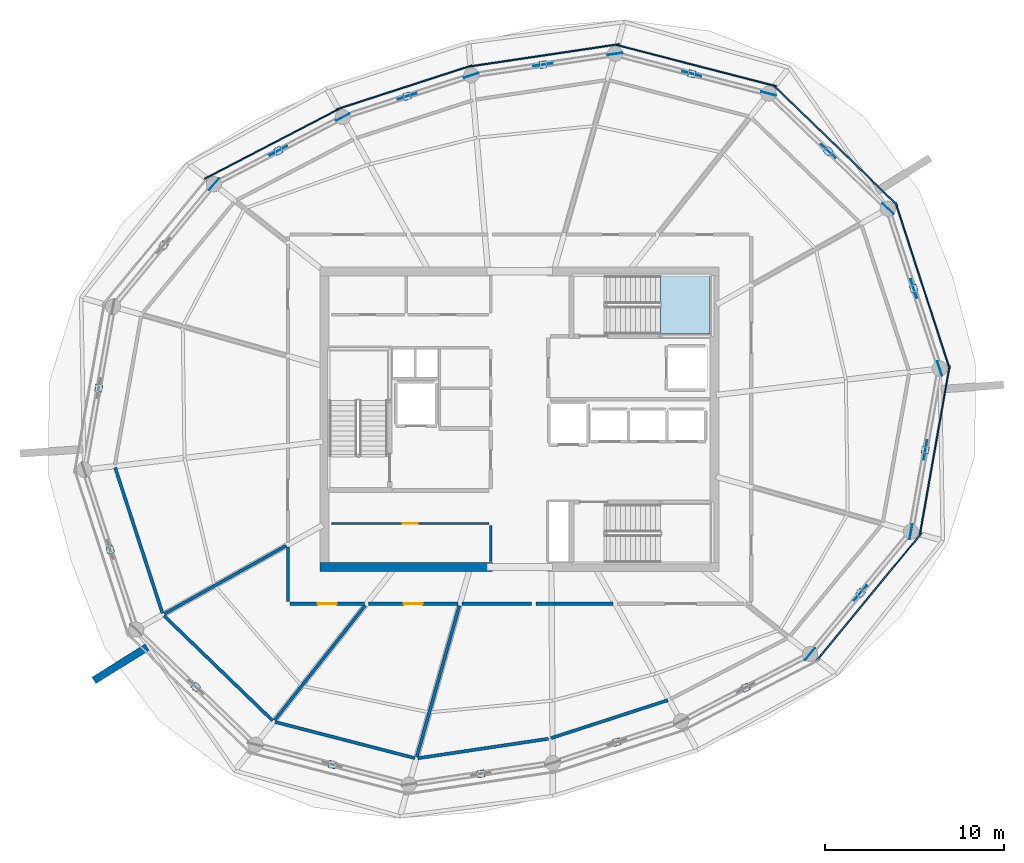
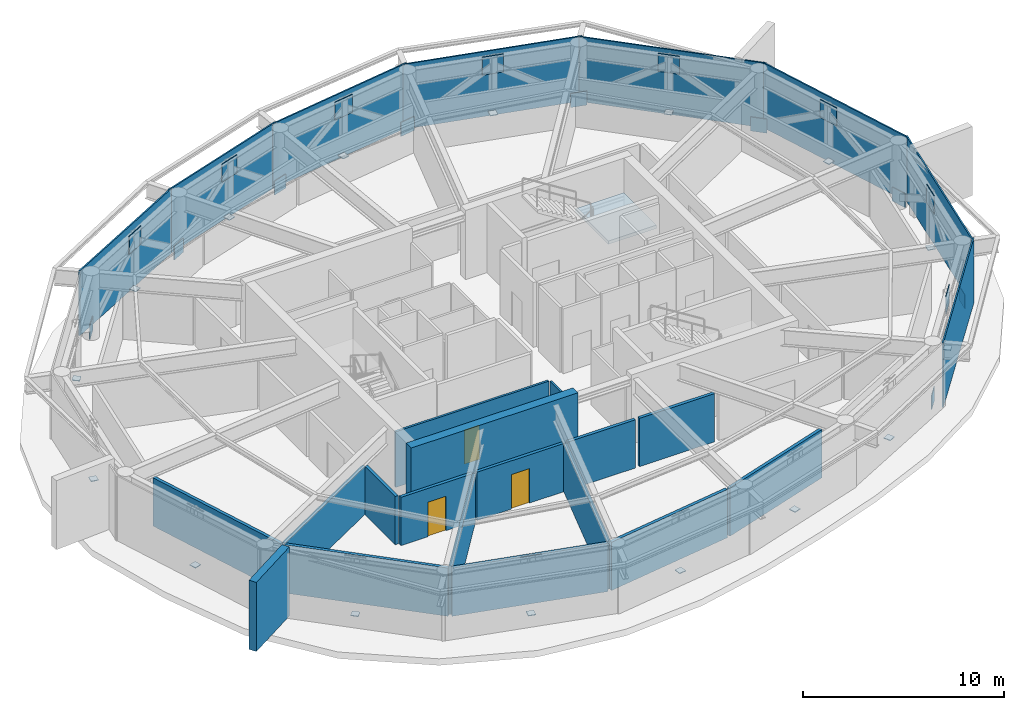
# One storey, part 10 of 14: 41 plates, 17 walls, 3 doors, 1 slab, 3 openings, 1 element without a shape of its own.
"""IFC4 building model written with IfcOpenShell, lengths in metres."""

from ifc_helpers import new_model, si_unit, direction, frame, frame_2d, origin, origin_2d, place, context, subcontext, project, spatial, polyline, rectangle, outline, extrude, material, layer, layer_set, type_object, element, fill, aggregate, save


model = new_model("IFC4")

# Units and contexts
model_context = context("Model", 3, precision=1e-05, world=origin(), true_north=direction((0.0, 1.0)))
body_context = subcontext(model_context, "Body", "Model", "MODEL_VIEW")
ifc_project = project(units=[si_unit("LENGTHUNIT", "METRE"), si_unit("AREAUNIT", "SQUARE_METRE"), si_unit("VOLUMEUNIT", "CUBIC_METRE"), si_unit("PLANEANGLEUNIT", "RADIAN"), si_unit("MASSUNIT", "GRAM", prefix="KILO")], contexts=[model_context])

# Site, building, storey
site_placement = place(None, origin())
site = spatial("IfcSite", under=ifc_project, at=site_placement, CompositionType="ELEMENT")
building_placement = place(site_placement, origin())
building = spatial("IfcBuilding", under=site, at=building_placement, Name="Kazma Halo Residences", CompositionType="ELEMENT")
storey_placement = place(building_placement, frame((0.0, 0.0, 343.10009765625)))
storey = spatial("IfcBuildingStorey", under=building, at=storey_placement, Name="L86", CompositionType="ELEMENT", Elevation=343.10009765625)

# Plates
ifc_material_1 = material(Name="Aluminium AW-6063 T6 Perforated Acoustic Louvre Screen", Category="aluminium")
ifc_layer_1 = layer(ifc_material_1, 0.080078125)
ifc_layer_set_1 = layer_set([ifc_layer_1], Name="Aluminium AW-6063 T6 Perforated Acoustic Louvre Screen")
plate_type_1 = type_object("IfcPlateType", Name="PLT-CROWN-LOUVRE", PredefinedType="SHEET", material=ifc_layer_set_1)
plate_1_placement = place(storey_placement, frame((66.0361328125, 57.285888671875, 0.0), z_axis=(0.0, 0.0, 1.0), x_axis=(-0.719335265276, 0.694663066623, 0.0)))
element("IfcPlate", 1, at=plate_1_placement, inside=storey, type_object=plate_type_1, Name="L86 pale-metal acoustic louvre screen 01", PredefinedType="SHEET", context=body_context, shape_type="SweptSolid", body=[
    extrude(rectangle(XDim=9.64111328125, YDim=0.080078125, at=origin_2d()), origin(), (0.0, 0.0, 1.0), 3.93994140625),
])
plate_2_placement = place(storey_placement, frame((58.271484375, 61.729248046875, 0.0), z_axis=(0.0, 0.0, 1.0), x_axis=(-0.968126273724, 0.250462608239, 0.0)))
element("IfcPlate", 2, at=plate_2_placement, inside=storey, type_object=plate_type_1, Name="L86 pale-metal acoustic louvre screen 02", PredefinedType="SHEET", context=body_context, shape_type="SweptSolid", body=[
    extrude(rectangle(XDim=9.251220703125, YDim=0.080078125, at=origin_2d()), origin(), (0.0, 0.0, 1.0), 3.93994140625),
])
plate_3_placement = place(storey_placement, frame((49.783935546875, 62.2958984375, 0.0), z_axis=(0.0, 0.0, 1.0), x_axis=(-0.989033960442, -0.147688269991, 0.0)))
element("IfcPlate", 3, at=plate_3_placement, inside=storey, type_object=plate_type_1, Name="L86 pale-metal acoustic louvre screen 03", PredefinedType="SHEET", context=body_context, shape_type="SweptSolid", body=[
    extrude(rectangle(XDim=8.505615234375, YDim=0.080078125, at=origin_2d()), origin(), (0.0, 0.0, 1.0), 3.93994140625),
])
plate_4_placement = place(storey_placement, frame((41.98583984375, 60.509521484375, 0.0), z_axis=(0.0, 0.0, 1.0), x_axis=(-0.951057860981, -0.309012855826, 0.0)))
element("IfcPlate", 4, at=plate_4_placement, inside=storey, type_object=plate_type_1, Name="L86 pale-metal acoustic louvre screen 04", PredefinedType="SHEET", context=body_context, shape_type="SweptSolid", body=[
    extrude(rectangle(XDim=7.935546875, YDim=0.080078125, at=origin_2d()), origin(), (0.0, 0.0, 1.0), 3.93994140625),
])
plate_5_placement = place(storey_placement, frame((34.627197265625, 57.37109375, 0.0), z_axis=(0.0, 0.0, 1.0), x_axis=(-0.886953463188, -0.461858803249, 0.0)))
element("IfcPlate", 5, at=plate_5_placement, inside=storey, type_object=plate_type_1, Name="L86 pale-metal acoustic louvre screen 05", PredefinedType="SHEET", context=body_context, shape_type="SweptSolid", body=[
    extrude(rectangle(XDim=8.505615234375, YDim=0.080078125, at=origin_2d()), origin(), (0.0, 0.0, 1.0), 3.93994140625),
])
plate_6_placement = place(storey_placement, frame((67.90625, 32.076171875, 0.0), z_axis=(0.0, 0.0, 1.0), x_axis=(0.636006588977, 0.771683626092, 0.0)))
element("IfcPlate", 6, at=plate_6_placement, inside=storey, type_object=plate_type_1, Name="L86 pale-metal acoustic louvre screen 14", PredefinedType="SHEET", context=body_context, shape_type="SweptSolid", body=[
    extrude(rectangle(XDim=9.251220703125, YDim=0.080078125, at=origin_2d()), origin(), (0.0, 0.0, 1.0), 3.93994140625),
])
plate_7_placement = place(storey_placement, frame((71.576416015625, 40.23486328125, 0.0), z_axis=(0.0, 0.0, 1.0), x_axis=(0.17364643699, 0.984808059939, 0.0)))
element("IfcPlate", 7, at=plate_7_placement, inside=storey, type_object=plate_type_1, Name="L86 pale-metal acoustic louvre screen 15", PredefinedType="SHEET", context=body_context, shape_type="SweptSolid", body=[
    extrude(rectangle(XDim=9.64111328125, YDim=0.080078125, at=origin_2d()), origin(), (0.0, 0.0, 1.0), 3.93994140625),
])
plate_8_placement = place(storey_placement, frame((70.90625, 49.442626953125, 0.0), z_axis=(0.0, 0.0, 1.0), x_axis=(-0.309021671922, 0.951054996455, 0.0)))
element("IfcPlate", 8, at=plate_8_placement, inside=storey, type_object=plate_type_1, Name="L86 pale-metal acoustic louvre screen 16", PredefinedType="SHEET", context=body_context, shape_type="SweptSolid", body=[
    extrude(rectangle(XDim=9.774658203125, YDim=0.080078125, at=origin_2d()), origin(), (0.0, 0.0, 1.0), 3.93994140625),
])
ifc_material_2 = material(Name="Steel S355", Category="steel")
ifc_layer_2 = layer(ifc_material_2, 0.0400390625)
ifc_layer_set_2 = layer_set([ifc_layer_2], Name="Steel S355")
plate_type_2 = type_object("IfcPlateType", Name="PLT-GUSSET-40", PredefinedType="SHEET", material=ifc_layer_set_2)
plate_9_placement = place(storey_placement, frame((65.639404296875, 56.94970703125, 0.43994140625), z_axis=(0.0, 0.0, 1.0), x_axis=(-0.719335265276, 0.694663066623, 0.0)))
element("IfcPlate", 9, at=plate_9_placement, inside=storey, type_object=plate_type_2, Name="L86 belt-truss post welded cap plate 01", PredefinedType="SHEET", context=body_context, shape_type="SweptSolid", body=[
    extrude(rectangle(XDim=0.39990234375, YDim=0.39990234375, at=origin_2d()), origin(), (0.0, 0.0, 1.0), 0.0400390625),
])
plate_10_placement = place(storey_placement, frame((65.639404296875, 56.94970703125, 2.869873046875), z_axis=(0.0, 0.0, 1.0), x_axis=(-0.719335265276, 0.694663066623, 0.0)))
element("IfcPlate", 10, at=plate_10_placement, inside=storey, type_object=plate_type_2, Name="L86 belt-truss apex gusset plate 01", PredefinedType="SHEET", context=body_context, shape_type="SweptSolid", body=[
    extrude(rectangle(XDim=1.10009765625, YDim=0.0400390625, at=origin_2d()), origin(), (0.0, 0.0, 1.0), 1.10009765625),
])
plate_11_placement = place(storey_placement, frame((68.96337890625, 53.739990234375, 0.054931640625), z_axis=(0.0, 0.0, 1.0), x_axis=(-0.719335265276, 0.694663066623, 0.0)))
element("IfcPlate", 11, at=plate_11_placement, inside=storey, type_object=plate_type_2, Name="L86 belt-truss column gusset plate 01", PredefinedType="SHEET", context=body_context, shape_type="SweptSolid", body=[
    extrude(rectangle(XDim=0.85009765625, YDim=0.0400390625, at=origin_2d()), origin(), (0.0, 0.0, 1.0), 0.85009765625),
])
plate_12_placement = place(storey_placement, frame((58.03125, 61.267822265625, 0.43994140625), z_axis=(0.0, 0.0, 1.0), x_axis=(-0.968126273724, 0.250462608239, 0.0)))
element("IfcPlate", 12, at=plate_12_placement, inside=storey, type_object=plate_type_2, Name="L86 belt-truss post welded cap plate 02", PredefinedType="SHEET", context=body_context, shape_type="SweptSolid", body=[
    extrude(rectangle(XDim=0.39990234375, YDim=0.39990234375, at=origin_2d()), origin(), (0.0, 0.0, 1.0), 0.0400390625),
])
plate_13_placement = place(storey_placement, frame((58.03125, 61.267822265625, 2.869873046875), z_axis=(0.0, 0.0, 1.0), x_axis=(-0.968126273724, 0.250462608239, 0.0)))
element("IfcPlate", 13, at=plate_13_placement, inside=storey, type_object=plate_type_2, Name="L86 belt-truss apex gusset plate 02", PredefinedType="SHEET", context=body_context, shape_type="SweptSolid", body=[
    extrude(rectangle(XDim=1.10009765625, YDim=0.0400390625, at=origin_2d()), origin(), (0.0, 0.0, 1.0), 1.10009765625),
])
plate_14_placement = place(storey_placement, frame((62.31591796875, 60.159423828125, 0.054931640625), z_axis=(0.0, 0.0, 1.0), x_axis=(-0.968126273724, 0.250462608239, 0.0)))
element("IfcPlate", 14, at=plate_14_placement, inside=storey, type_object=plate_type_2, Name="L86 belt-truss column gusset plate 02", PredefinedType="SHEET", context=body_context, shape_type="SweptSolid", body=[
    extrude(rectangle(XDim=0.85009765625, YDim=0.0400390625, at=origin_2d()), origin(), (0.0, 0.0, 1.0), 0.85009765625),
])
plate_15_placement = place(storey_placement, frame((49.73828125, 61.77783203125, 0.43994140625), z_axis=(0.0, 0.0, 1.0), x_axis=(-0.989033960442, -0.147688269991, 0.0)))
element("IfcPlate", 15, at=plate_15_placement, inside=storey, type_object=plate_type_2, Name="L86 belt-truss post welded cap plate 03", PredefinedType="SHEET", context=body_context, shape_type="SweptSolid", body=[
    extrude(rectangle(XDim=0.39990234375, YDim=0.39990234375, at=origin_2d()), origin(), (0.0, 0.0, 1.0), 0.0400390625),
])
plate_16_placement = place(storey_placement, frame((49.73828125, 61.77783203125, 2.869873046875), z_axis=(0.0, 0.0, 1.0), x_axis=(-0.989033960442, -0.147688269991, 0.0)))
element("IfcPlate", 16, at=plate_16_placement, inside=storey, type_object=plate_type_2, Name="L86 belt-truss apex gusset plate 03", PredefinedType="SHEET", context=body_context, shape_type="SweptSolid", body=[
    extrude(rectangle(XDim=1.10009765625, YDim=0.0400390625, at=origin_2d()), origin(), (0.0, 0.0, 1.0), 1.10009765625),
])
plate_17_placement = place(storey_placement, frame((53.74658203125, 62.37646484375, 0.054931640625), z_axis=(0.0, 0.0, 1.0), x_axis=(-0.989033960442, -0.147688269991, 0.0)))
element("IfcPlate", 17, at=plate_17_placement, inside=storey, type_object=plate_type_2, Name="L86 belt-truss column gusset plate 03", PredefinedType="SHEET", context=body_context, shape_type="SweptSolid", body=[
    extrude(rectangle(XDim=0.85009765625, YDim=0.0400390625, at=origin_2d()), origin(), (0.0, 0.0, 1.0), 0.85009765625),
])
plate_18_placement = place(storey_placement, frame((42.146484375, 60.014892578125, 0.43994140625), z_axis=(0.0, 0.0, 1.0), x_axis=(-0.951057860981, -0.309012855826, 0.0)))
element("IfcPlate", 18, at=plate_18_placement, inside=storey, type_object=plate_type_2, Name="L86 belt-truss post welded cap plate 04", PredefinedType="SHEET", context=body_context, shape_type="SweptSolid", body=[
    extrude(rectangle(XDim=0.39990234375, YDim=0.39990234375, at=origin_2d()), origin(), (0.0, 0.0, 1.0), 0.0400390625),
])
plate_19_placement = place(storey_placement, frame((42.146484375, 60.014892578125, 2.869873046875), z_axis=(0.0, 0.0, 1.0), x_axis=(-0.951057860981, -0.309012855826, 0.0)))
element("IfcPlate", 19, at=plate_19_placement, inside=storey, type_object=plate_type_2, Name="L86 belt-truss apex gusset plate 04", PredefinedType="SHEET", context=body_context, shape_type="SweptSolid", body=[
    extrude(rectangle(XDim=1.10009765625, YDim=0.0400390625, at=origin_2d()), origin(), (0.0, 0.0, 1.0), 1.10009765625),
])
plate_20_placement = place(storey_placement, frame((45.72998046875, 61.17919921875, 0.054931640625), z_axis=(0.0, 0.0, 1.0), x_axis=(-0.951057860981, -0.309012855826, 0.0)))
element("IfcPlate", 20, at=plate_20_placement, inside=storey, type_object=plate_type_2, Name="L86 belt-truss column gusset plate 04", PredefinedType="SHEET", context=body_context, shape_type="SweptSolid", body=[
    extrude(rectangle(XDim=0.85009765625, YDim=0.0400390625, at=origin_2d()), origin(), (0.0, 0.0, 1.0), 0.85009765625),
])
plate_21_placement = place(storey_placement, frame((34.968505859375, 56.97900390625, 0.43994140625), z_axis=(0.0, 0.0, 1.0), x_axis=(-0.886953463188, -0.461858803249, 0.0)))
element("IfcPlate", 21, at=plate_21_placement, inside=storey, type_object=plate_type_2, Name="L86 belt-truss post welded cap plate 05", PredefinedType="SHEET", context=body_context, shape_type="SweptSolid", body=[
    extrude(rectangle(XDim=0.39990234375, YDim=0.39990234375, at=origin_2d()), origin(), (0.0, 0.0, 1.0), 0.0400390625),
])
plate_22_placement = place(storey_placement, frame((34.968505859375, 56.97900390625, 2.869873046875), z_axis=(0.0, 0.0, 1.0), x_axis=(-0.886953463188, -0.461858803249, 0.0)))
element("IfcPlate", 22, at=plate_22_placement, inside=storey, type_object=plate_type_2, Name="L86 belt-truss apex gusset plate 05", PredefinedType="SHEET", context=body_context, shape_type="SweptSolid", body=[
    extrude(rectangle(XDim=1.10009765625, YDim=0.0400390625, at=origin_2d()), origin(), (0.0, 0.0, 1.0), 1.10009765625),
])
plate_23_placement = place(storey_placement, frame((38.563232421875, 58.8505859375, 0.054931640625), z_axis=(0.0, 0.0, 1.0), x_axis=(-0.886953463188, -0.461858803249, 0.0)))
element("IfcPlate", 23, at=plate_23_placement, inside=storey, type_object=plate_type_2, Name="L86 belt-truss column gusset plate 05", PredefinedType="SHEET", context=body_context, shape_type="SweptSolid", body=[
    extrude(rectangle(XDim=0.85009765625, YDim=0.0400390625, at=origin_2d()), origin(), (0.0, 0.0, 1.0), 0.85009765625),
])
plate_24_placement = place(storey_placement, frame((28.55908203125, 51.69189453125, 0.43994140625), z_axis=(0.0, 0.0, 1.0), x_axis=(-0.636006588977, -0.771683626092, 0.0)))
element("IfcPlate", 24, at=plate_24_placement, inside=storey, type_object=plate_type_2, Name="L86 belt-truss post welded cap plate 06", PredefinedType="SHEET", context=body_context, shape_type="SweptSolid", body=[
    extrude(rectangle(XDim=0.39990234375, YDim=0.39990234375, at=origin_2d()), origin(), (0.0, 0.0, 1.0), 0.0400390625),
])
plate_25_placement = place(storey_placement, frame((31.373779296875, 55.10693359375, 0.054931640625), z_axis=(0.0, 0.0, 1.0), x_axis=(-0.636006588977, -0.771683626092, 0.0)))
element("IfcPlate", 25, at=plate_25_placement, inside=storey, type_object=plate_type_2, Name="L86 belt-truss column gusset plate 06", PredefinedType="SHEET", context=body_context, shape_type="SweptSolid", body=[
    extrude(rectangle(XDim=0.85009765625, YDim=0.0400390625, at=origin_2d()), origin(), (0.0, 0.0, 1.0), 0.85009765625),
])
for number, where, z_axis, x_axis, name in (
    (26, (24.942138671875, 43.726318359375, 0.43994140625), (0.0, 0.0, 1.0), (-0.17364643699, -0.984808059939, 0.0), "L86 belt-truss post welded cap plate 07"),
    (27, (25.588134765625, 34.718017578125, 0.43994140625), (0.0, 0.0, 1.0), (0.309021671922, -0.951054996455, 0.0), "L86 belt-truss post welded cap plate 08"),
    (28, (30.360595703125, 27.05029296875, 0.43994140625), (0.0, 0.0, 1.0), (0.719335265276, -0.694663066623, 0.0), "L86 belt-truss post welded cap plate 09"),
    (29, (37.96875, 22.732177734375, 0.43994140625), (0.0, 0.0, 1.0), (0.968126273724, -0.250462608239, 0.0), "L86 belt-truss post welded cap plate 10"),
    (30, (46.26171875, 22.22216796875, 0.43994140625), (0.0, 0.0, 1.0), (0.989033960442, 0.147688269991, 0.0), "L86 belt-truss post welded cap plate 11"),
    (31, (53.853515625, 23.985107421875, 0.43994140625), (0.0, 0.0, 1.0), (0.951057860981, 0.309012855826, 0.0), "L86 belt-truss post welded cap plate 12"),
    (32, (61.031494140625, 27.02099609375, 0.43994140625), (0.0, 0.0, 1.0), (0.886953463188, 0.461858803249, 0.0), "L86 belt-truss post welded cap plate 13"),
    (33, (67.44091796875, 32.30810546875, 0.43994140625), (0.0, 0.0, 1.0), (0.636006588977, 0.771683626092, 0.0), "L86 belt-truss post welded cap plate 14"),
):
    element("IfcPlate", number, at=place(storey_placement, frame(where, z_axis=z_axis, x_axis=x_axis)), inside=storey, type_object=plate_type_2, Name=name, PredefinedType="SHEET", context=body_context, shape_type="SweptSolid", body=[
        extrude(rectangle(XDim=0.39990234375, YDim=0.39990234375, at=origin_2d()), origin(), (0.0, 0.0, 1.0), 0.0400390625),
    ])
plate_26_placement = place(storey_placement, frame((67.44091796875, 32.30810546875, 2.869873046875), z_axis=(0.0, 0.0, 1.0), x_axis=(0.636006588977, 0.771683626092, 0.0)))
element("IfcPlate", 34, at=plate_26_placement, inside=storey, type_object=plate_type_2, Name="L86 belt-truss apex gusset plate 14", PredefinedType="SHEET", context=body_context, shape_type="SweptSolid", body=[
    extrude(rectangle(XDim=1.10009765625, YDim=0.0400390625, at=origin_2d()), origin(), (0.0, 0.0, 1.0), 1.10009765625),
])
plate_27_placement = place(storey_placement, frame((64.626220703125, 28.89306640625, 0.054931640625), z_axis=(0.0, 0.0, 1.0), x_axis=(0.636006588977, 0.771683626092, 0.0)))
element("IfcPlate", 35, at=plate_27_placement, inside=storey, type_object=plate_type_2, Name="L86 belt-truss column gusset plate 14", PredefinedType="SHEET", context=body_context, shape_type="SweptSolid", body=[
    extrude(rectangle(XDim=0.85009765625, YDim=0.0400390625, at=origin_2d()), origin(), (0.0, 0.0, 1.0), 0.85009765625),
])
plate_28_placement = place(storey_placement, frame((71.05810546875, 40.273681640625, 0.43994140625), z_axis=(0.0, 0.0, 1.0), x_axis=(0.17364643699, 0.984808059939, 0.0)))
element("IfcPlate", 36, at=plate_28_placement, inside=storey, type_object=plate_type_2, Name="L86 belt-truss post welded cap plate 15", PredefinedType="SHEET", context=body_context, shape_type="SweptSolid", body=[
    extrude(rectangle(XDim=0.39990234375, YDim=0.39990234375, at=origin_2d()), origin(), (0.0, 0.0, 1.0), 0.0400390625),
])
plate_29_placement = place(storey_placement, frame((71.05810546875, 40.273681640625, 2.869873046875), z_axis=(0.0, 0.0, 1.0), x_axis=(0.17364643699, 0.984808059939, 0.0)))
element("IfcPlate", 37, at=plate_29_placement, inside=storey, type_object=plate_type_2, Name="L86 belt-truss apex gusset plate 15", PredefinedType="SHEET", context=body_context, shape_type="SweptSolid", body=[
    extrude(rectangle(XDim=1.10009765625, YDim=0.0400390625, at=origin_2d()), origin(), (0.0, 0.0, 1.0), 1.10009765625),
])
plate_30_placement = place(storey_placement, frame((70.255615234375, 35.723388671875, 0.054931640625), z_axis=(0.0, 0.0, 1.0), x_axis=(0.17364643699, 0.984808059939, 0.0)))
element("IfcPlate", 38, at=plate_30_placement, inside=storey, type_object=plate_type_2, Name="L86 belt-truss column gusset plate 15", PredefinedType="SHEET", context=body_context, shape_type="SweptSolid", body=[
    extrude(rectangle(XDim=0.85009765625, YDim=0.0400390625, at=origin_2d()), origin(), (0.0, 0.0, 1.0), 0.85009765625),
])
plate_31_placement = place(storey_placement, frame((70.411865234375, 49.281982421875, 0.43994140625), z_axis=(0.0, 0.0, 1.0), x_axis=(-0.309021671922, 0.951054996455, 0.0)))
element("IfcPlate", 39, at=plate_31_placement, inside=storey, type_object=plate_type_2, Name="L86 belt-truss post welded cap plate 16", PredefinedType="SHEET", context=body_context, shape_type="SweptSolid", body=[
    extrude(rectangle(XDim=0.39990234375, YDim=0.39990234375, at=origin_2d()), origin(), (0.0, 0.0, 1.0), 0.0400390625),
])
plate_32_placement = place(storey_placement, frame((70.411865234375, 49.281982421875, 2.869873046875), z_axis=(0.0, 0.0, 1.0), x_axis=(-0.309021671922, 0.951054996455, 0.0)))
element("IfcPlate", 40, at=plate_32_placement, inside=storey, type_object=plate_type_2, Name="L86 belt-truss apex gusset plate 16", PredefinedType="SHEET", context=body_context, shape_type="SweptSolid", body=[
    extrude(rectangle(XDim=1.10009765625, YDim=0.0400390625, at=origin_2d()), origin(), (0.0, 0.0, 1.0), 1.10009765625),
])
plate_33_placement = place(storey_placement, frame((71.8603515625, 44.82421875, 0.054931640625), z_axis=(0.0, 0.0, 1.0), x_axis=(-0.309021671922, 0.951054996455, 0.0)))
element("IfcPlate", 41, at=plate_33_placement, inside=storey, type_object=plate_type_2, Name="L86 belt-truss column gusset plate 16", PredefinedType="SHEET", context=body_context, shape_type="SweptSolid", body=[
    extrude(rectangle(XDim=0.85009765625, YDim=0.0400390625, at=origin_2d()), origin(), (0.0, 0.0, 1.0), 0.85009765625),
])

# Stair, slab
ifc_material_3 = material(Name="Concrete C50/60", Category="concrete")
stair_type = type_object("IfcStairType", Name="STR-CRWN", PredefinedType="HALF_TURN_STAIR", material=ifc_material_3)
stair_placement = place(storey_placement, origin())
stair = element("IfcStair", 42, at=stair_placement, inside=storey, type_object=stair_type, Name="L86 Core exit stair ST-02", PredefinedType="HALF_TURN_STAIR")
ifc_layer_3 = layer(ifc_material_3, 0.199951171875)
ifc_layer_set_3 = layer_set([ifc_layer_3], Name="Concrete C50/60")
slab_type = type_object("IfcSlabType", Name="SLB-STAIR-LND-200", PredefinedType="LANDING", material=ifc_layer_set_3)
slab_placement = place(storey_placement, frame((0.0, 0.0, 1.89990234375)))
slab = element("IfcSlab", 43, at=slab_placement, type_object=slab_type, Name="ST-02 landing 1", PredefinedType="LANDING", context=body_context, shape_type="SweptSolid", body=[
    extrude(outline(polyline([(56.280029296875, 46.75), (59.050048828125, 46.75), (59.050048828125, 50.0), (56.280029296875, 50.0), (56.280029296875, 46.75)])), origin(), (0.0, 0.0, 1.0), 0.199951171875),
])
aggregate(stair, [slab])

# Walls
ifc_material_4 = material(Name="Pale Concrete C60/75", Category="concrete")
ifc_layer_4 = layer(ifc_material_4, 0.419921875)
ifc_layer_set_4 = layer_set([ifc_layer_4], Name="Pale Concrete C60/75")
wall_type_1 = type_object("IfcWallType", Name="WL-BLADE-420", PredefinedType="SOLIDWALL", material=ifc_layer_set_4)
wall_1_placement = place(storey_placement, frame((27.6474609375, 29.2822265625, 0.0), z_axis=(0.0, 0.0, 1.0), x_axis=(-0.848053161125, -0.529911158502, 0.0)))
element("IfcWall", 44, at=wall_1_placement, inside=storey, type_object=wall_type_1, Name="L86 pale concrete structural blade fin wall BW-03", PredefinedType="SOLIDWALL", context=body_context, shape_type="SweptSolid", body=[
    extrude(rectangle(XDim=3.5, YDim=0.419921875, at=frame_2d((1.75, 0.0))), origin(), (0.0, 0.0, 1.0), 4.199951171875),
])
ifc_material_5 = material(Name="Concrete C60/75", Category="concrete")
ifc_layer_5 = layer(ifc_material_5, 0.5)
ifc_layer_set_5 = layer_set([ifc_layer_5], Name="Concrete C60/75")
wall_type_2 = type_object("IfcWallType", Name="WL-CORE-500", PredefinedType="SHEAR", material=ifc_layer_set_5)
wall_2_placement = place(storey_placement, frame((37.300048828125, 33.75, 0.0), z_axis=(0.0, 0.0, 1.0), x_axis=(1.0, 0.0, 0.0)))
element("IfcWall", 45, at=wall_2_placement, inside=storey, type_object=wall_type_2, Name="L86 central core shear wall SW", PredefinedType="SHEAR", context=body_context, shape_type="SweptSolid", body=[
    extrude(rectangle(XDim=9.599853515625, YDim=0.5, at=frame_2d((4.7998046875, 0.0))), origin(), (0.0, 0.0, 1.0), 4.199951171875),
])
ifc_material_6 = material(Name="Acoustic Twin-Stud Gypsum")
ifc_layer_6 = layer(ifc_material_6, 0.179931640625)
ifc_layer_set_6 = layer_set([ifc_layer_6], Name="Acoustic Twin-Stud Gypsum")
wall_type_3 = type_object("IfcWallType", Name="WL-DEM-180", PredefinedType="PARTITIONING", material=ifc_layer_set_6)
wall_3_placement = place(storey_placement, frame((25.859375, 39.300537109375, 0.0), z_axis=(0.0, 0.0, 1.0), x_axis=(0.309030537088, -0.951052115894, 0.0)))
element("IfcWall", 46, at=wall_3_placement, inside=storey, type_object=wall_type_3, Name="L86 refuge acoustic perimeter wall 07", PredefinedType="PARTITIONING", context=body_context, shape_type="SweptSolid", body=[
    extrude(rectangle(XDim=8.548828125, YDim=0.179931640625, at=frame_2d((4.2744140625, 0.0))), origin(), (0.0, 0.0, 1.0), 2.932861328125),
])
wall_4_placement = place(storey_placement, frame((28.58349609375, 31.038330078125, 0.0), z_axis=(0.0, 0.0, 1.0), x_axis=(0.719358516059, -0.694638989241, 0.0)))
element("IfcWall", 47, at=wall_4_placement, inside=storey, type_object=wall_type_3, Name="L86 refuge acoustic perimeter wall 08", PredefinedType="PARTITIONING", context=body_context, shape_type="SweptSolid", body=[
    extrude(rectangle(XDim=8.424560546875, YDim=0.179931640625, at=frame_2d((4.21240234375, 0.0))), origin(), (0.0, 0.0, 1.0), 2.932861328125),
])
wall_5_placement = place(storey_placement, frame((34.778564453125, 25.110595703125, 0.0), z_axis=(0.0, 0.0, 1.0), x_axis=(0.96812020229, -0.250486075298, 0.0)))
element("IfcWall", 48, at=wall_5_placement, inside=storey, type_object=wall_type_3, Name="L86 refuge acoustic perimeter wall 09", PredefinedType="PARTITIONING", context=body_context, shape_type="SweptSolid", body=[
    extrude(rectangle(XDim=8.0625, YDim=0.179931640625, at=frame_2d((4.03125, 0.0))), origin(), (0.0, 0.0, 1.0), 2.932861328125),
])
wall_6_placement = place(storey_placement, frame((42.740478515625, 23.0830078125, 0.0), z_axis=(0.0, 0.0, 1.0), x_axis=(0.989035992024, 0.147674664315, 0.0)))
element("IfcWall", 49, at=wall_6_placement, inside=storey, type_object=wall_type_3, Name="L86 refuge acoustic perimeter wall 10", PredefinedType="PARTITIONING", context=body_context, shape_type="SweptSolid", body=[
    extrude(rectangle(XDim=7.3701171875, YDim=0.179931640625, at=frame_2d((3.68505859375, 0.0))), origin(), (0.0, 0.0, 1.0), 2.932861328125),
])
wall_7_placement = place(storey_placement, frame((50.184814453125, 24.2080078125, 0.0), z_axis=(0.0, 0.0, 1.0), x_axis=(0.95105793387, 0.309012631495, 0.0)))
element("IfcWall", 50, at=wall_7_placement, inside=storey, type_object=wall_type_3, Name="L86 refuge acoustic perimeter wall 11", PredefinedType="PARTITIONING", context=body_context, shape_type="SweptSolid", body=[
    extrude(rectangle(XDim=6.84033203125, YDim=0.179931640625, at=frame_2d((3.420166015625, 0.0))), origin(), (0.0, 0.0, 1.0), 2.932861328125),
])
wall_8_placement = place(storey_placement, frame((35.404052734375, 34.946044921875, 0.0), z_axis=(0.0, 0.0, 1.0), x_axis=(-0.872492108865, -0.488628202182, 0.0)))
element("IfcWall", 51, at=wall_8_placement, inside=storey, type_object=wall_type_3, Name="L86 radial partition wall 08", PredefinedType="PARTITIONING", context=body_context, shape_type="SweptSolid", body=[
    extrude(rectangle(XDim=7.783447265625, YDim=0.179931640625, at=frame_2d((3.8916015625, 0.0))), origin(), (0.0, 0.0, 1.0), 2.932861328125),
])
wall_9_placement = place(storey_placement, frame((35.5, 34.879638671875, 0.0), z_axis=(0.0, 0.0, 1.0), x_axis=(0.0, -1.0, 0.0)))
element("IfcWall", 52, at=wall_9_placement, inside=storey, type_object=wall_type_3, Name="L86 L86 Primary AHU Mechanical Plant Room corridor wall", PredefinedType="PARTITIONING", context=body_context, shape_type="SweptSolid", body=[
    extrude(rectangle(XDim=3.0595703125, YDim=0.179931640625, at=frame_2d((1.52978515625, 0.0))), origin(), (0.0, 0.0, 1.0), 2.932861328125),
])

# Wall, opening, door
wall_10_placement = place(storey_placement, frame((35.6201171875, 31.699951171875, 0.0), z_axis=(0.0, 0.0, 1.0), x_axis=(1.0, 0.0, 0.0)))
wall_10 = element("IfcWall", 53, at=wall_10_placement, inside=storey, type_object=wall_type_3, Name="L86 L86 Primary AHU Mechanical Plant Room corridor wall", PredefinedType="PARTITIONING", context=body_context, shape_type="SweptSolid", body=[
    extrude(rectangle(XDim=4.139892578125, YDim=0.179931640625, at=frame_2d((2.06982421875, 0.0))), origin(), (0.0, 0.0, 1.0), 2.932861328125),
])
opening_1_placement = place(wall_10_placement, frame((1.545166015625, 0.0, 0.0)))
opening_1 = element("IfcOpeningElement", 54, at=opening_1_placement, cuts=wall_10, Name="Opening DF-1050", PredefinedType="OPENING", context=body_context, shape_type="SweptSolid", body=[
    extrude(rectangle(XDim=1.050048828125, YDim=2.10009765625, at=frame_2d((0.52490234375, 1.050048828125))), frame((0.0, 0.099853515625, 0.0), z_axis=(0.0, -1.0, 0.0), x_axis=(1.0, 0.0, 0.0)), (0.0, 0.0, 1.0), 0.199951171875),
])
ifc_material_7 = material(Name="Fire-Rated Steel Leaf", Category="steel")
door_type_1 = type_object("IfcDoorType", Name="DR-FD90-1050", OperationType="NOTDEFINED", PredefinedType="DOOR", material=ifc_material_7)
door_1_placement = place(opening_1_placement, origin())
door_1 = element("IfcDoor", 55, at=door_1_placement, inside=storey, type_object=door_type_1, Name="L86 L86 Primary AHU Mechanical Plant Room door", OperationType="SINGLE_SWING_LEFT", OverallHeight=2.10009765625, OverallWidth=1.050048828125, PredefinedType="DOOR", context=body_context, shape_type="SweptSolid", body=[
    extrude(rectangle(XDim=1.050048828125, YDim=2.10009765625, at=frame_2d((0.52490234375, 1.050048828125))), frame((0.0, 0.02490234375, 0.0), z_axis=(0.0, -1.0, 0.0), x_axis=(1.0, 0.0, 0.0)), (0.0, 0.0, 1.0), 0.050048828125),
])
fill(opening_1, door_1)

# Wall
wall_11_placement = place(storey_placement, frame((39.81201171875, 31.613525390625, 0.0), z_axis=(0.0, 0.0, 1.0), x_axis=(-0.619086016157, -0.785323184809, 0.0)))
element("IfcWall", 56, at=wall_11_placement, inside=storey, type_object=wall_type_3, Name="L86 radial partition wall 09", PredefinedType="PARTITIONING", context=body_context, shape_type="SweptSolid", body=[
    extrude(rectangle(XDim=8.1552734375, YDim=0.179931640625, at=frame_2d((4.07763671875, 0.0))), origin(), (0.0, 0.0, 1.0), 2.932861328125),
])

# Wall, opening, door
wall_12_placement = place(storey_placement, frame((40.0, 31.699951171875, 0.0), z_axis=(0.0, 0.0, 1.0), x_axis=(1.0, 0.0, 0.0)))
wall_12 = element("IfcWall", 57, at=wall_12_placement, inside=storey, type_object=wall_type_3, Name="L86 L86 Fire Booster Pump Plant Room corridor wall", PredefinedType="PARTITIONING", context=body_context, shape_type="SweptSolid", body=[
    extrude(rectangle(XDim=4.97509765625, YDim=0.179931640625, at=frame_2d((2.487548828125, 0.0))), origin(), (0.0, 0.0, 1.0), 2.932861328125),
])
opening_2_placement = place(wall_12_placement, frame((1.96240234375, 0.0, 0.0)))
opening_2 = element("IfcOpeningElement", 58, at=opening_2_placement, cuts=wall_12, Name="Opening DF-1050", PredefinedType="OPENING", context=body_context, shape_type="SweptSolid", body=[
    extrude(rectangle(XDim=1.050048828125, YDim=2.10009765625, at=frame_2d((0.52490234375, 1.050048828125))), frame((0.0, 0.099853515625, 0.0), z_axis=(0.0, -1.0, 0.0), x_axis=(1.0, 0.0, 0.0)), (0.0, 0.0, 1.0), 0.199951171875),
])
door_2_placement = place(opening_2_placement, origin())
door_2 = element("IfcDoor", 59, at=door_2_placement, inside=storey, type_object=door_type_1, Name="L86 L86 Fire Booster Pump Plant Room door", OperationType="SINGLE_SWING_RIGHT", OverallHeight=2.10009765625, OverallWidth=1.050048828125, PredefinedType="DOOR", context=body_context, shape_type="SweptSolid", body=[
    extrude(rectangle(XDim=1.050048828125, YDim=2.10009765625, at=frame_2d((0.52490234375, 1.050048828125))), frame((0.0, 0.02490234375, 0.0), z_axis=(0.0, -1.0, 0.0), x_axis=(1.0, 0.0, 0.0)), (0.0, 0.0, 1.0), 0.050048828125),
])
fill(opening_2, door_2)

# Walls
wall_13_placement = place(storey_placement, frame((45.065185546875, 31.593994140625, 0.0), z_axis=(0.0, 0.0, 1.0), x_axis=(-0.271427049977, -0.962459015512, 0.0)))
element("IfcWall", 60, at=wall_13_placement, inside=storey, type_object=wall_type_3, Name="L86 radial partition wall 10", PredefinedType="PARTITIONING", context=body_context, shape_type="SweptSolid", body=[
    extrude(rectangle(XDim=8.75537109375, YDim=0.179931640625, at=frame_2d((4.377685546875, 0.0))), origin(), (0.0, 0.0, 1.0), 2.932861328125),
])
wall_14_placement = place(storey_placement, frame((45.215087890625, 31.699951171875, 0.0), z_axis=(0.0, 0.0, 1.0), x_axis=(1.0, 0.0, 0.0)))
element("IfcWall", 61, at=wall_14_placement, inside=storey, type_object=wall_type_3, Name="L86 L86 West Refuge Area corridor wall", PredefinedType="PARTITIONING", context=body_context, shape_type="SweptSolid", body=[
    extrude(rectangle(XDim=3.884033203125, YDim=0.179931640625, at=frame_2d((1.94189453125, 0.0))), origin(), (0.0, 0.0, 1.0), 2.932861328125),
])
wall_15_placement = place(storey_placement, frame((49.339111328125, 31.699951171875, 0.0), z_axis=(0.0, 0.0, 1.0), x_axis=(1.0, 0.0, 0.0)))
element("IfcWall", 62, at=wall_15_placement, inside=storey, type_object=wall_type_3, Name="L86 L86 West Refuge Area corridor wall", PredefinedType="PARTITIONING", context=body_context, shape_type="SweptSolid", body=[
    extrude(rectangle(XDim=4.30908203125, YDim=0.179931640625, at=frame_2d((2.154541015625, 0.0))), origin(), (0.0, 0.0, 1.0), 2.932861328125),
])
ifc_material_8 = material(Name="Gypsum Plasterboard Partition")
ifc_layer_7 = layer(ifc_material_8, 0.125)
ifc_layer_set_7 = layer_set([ifc_layer_7], Name="Gypsum Plasterboard Partition")
wall_type_4 = type_object("IfcWallType", Name="WL-PART-125", PredefinedType="PARTITIONING", material=ifc_layer_set_7)
wall_16_placement = place(storey_placement, frame((46.820068359375, 34.050048828125, 0.0), z_axis=(0.0, 0.0, 1.0), x_axis=(0.0, 1.0, 0.0)))
element("IfcWall", 63, at=wall_16_placement, inside=storey, type_object=wall_type_4, Name="L86 reclaimed south east wall", PredefinedType="PARTITIONING", context=body_context, shape_type="SweptSolid", body=[
    extrude(rectangle(XDim=2.030029296875, YDim=0.125, at=frame_2d((1.01513671875, 0.0))), origin(), (0.0, 0.0, 1.0), 3.3798828125),
])

# Wall, opening, door
wall_17_placement = place(storey_placement, frame((37.919921875, 36.179931640625, 0.0), z_axis=(0.0, 0.0, 1.0), x_axis=(1.0, 0.0, 0.0)))
wall_17 = element("IfcWall", 64, at=wall_17_placement, inside=storey, type_object=wall_type_4, Name="L86 reclaimed south front wall", PredefinedType="PARTITIONING", context=body_context, shape_type="SweptSolid", body=[
    extrude(rectangle(XDim=8.800048828125, YDim=0.125, at=frame_2d((4.39990234375, 0.0))), origin(), (0.0, 0.0, 1.0), 3.3798828125),
])
opening_3_placement = place(wall_17_placement, frame((3.97509765625, 0.0, 0.0)))
opening_3 = element("IfcOpeningElement", 65, at=opening_3_placement, cuts=wall_17, Name="Opening DS-850", PredefinedType="OPENING", context=body_context, shape_type="SweptSolid", body=[
    extrude(rectangle(XDim=0.85009765625, YDim=2.06005859375, at=frame_2d((0.425048828125, 1.030029296875))), frame((0.0, 0.072509765625, 0.0), z_axis=(0.0, -1.0, 0.0), x_axis=(1.0, 0.0, 0.0)), (0.0, 0.0, 1.0), 0.14501953125),
])
ifc_material_9 = material(Name="Painted Steel Access Leaf", Category="steel")
door_type_2 = type_object("IfcDoorType", Name="DR-SVC-850", OperationType="NOTDEFINED", PredefinedType="DOOR", material=ifc_material_9)
door_3_placement = place(opening_3_placement, origin())
door_3 = element("IfcDoor", 66, at=door_3_placement, inside=storey, type_object=door_type_2, Name="L86 reclaimed south service door", OperationType="SINGLE_SWING_LEFT", OverallHeight=2.06005859375, OverallWidth=0.85009765625, PredefinedType="DOOR", context=body_context, shape_type="SweptSolid", body=[
    extrude(rectangle(XDim=0.85009765625, YDim=2.06005859375, at=frame_2d((0.425048828125, 1.030029296875))), frame((0.0, 0.02490234375, 0.0), z_axis=(0.0, -1.0, 0.0), x_axis=(1.0, 0.0, 0.0)), (0.0, 0.0, 1.0), 0.050048828125),
])
fill(opening_3, door_3)

save(model, "model.ifc")
